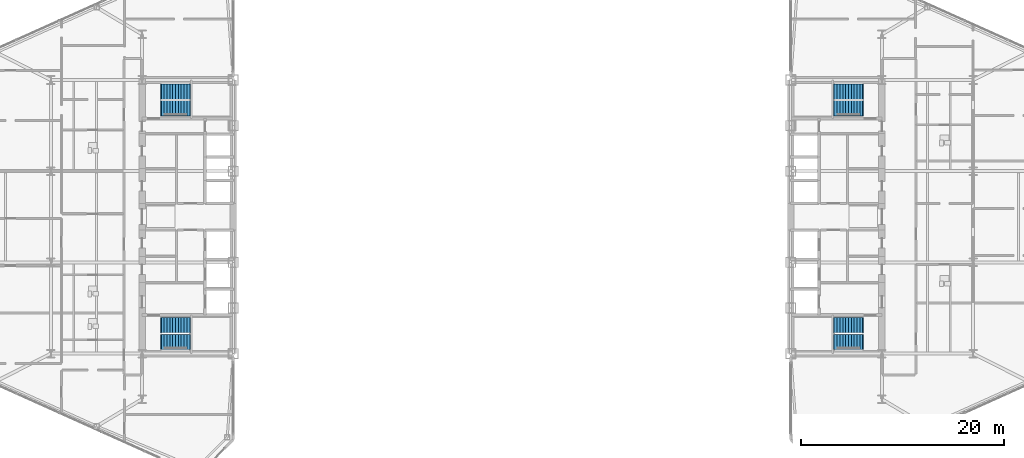
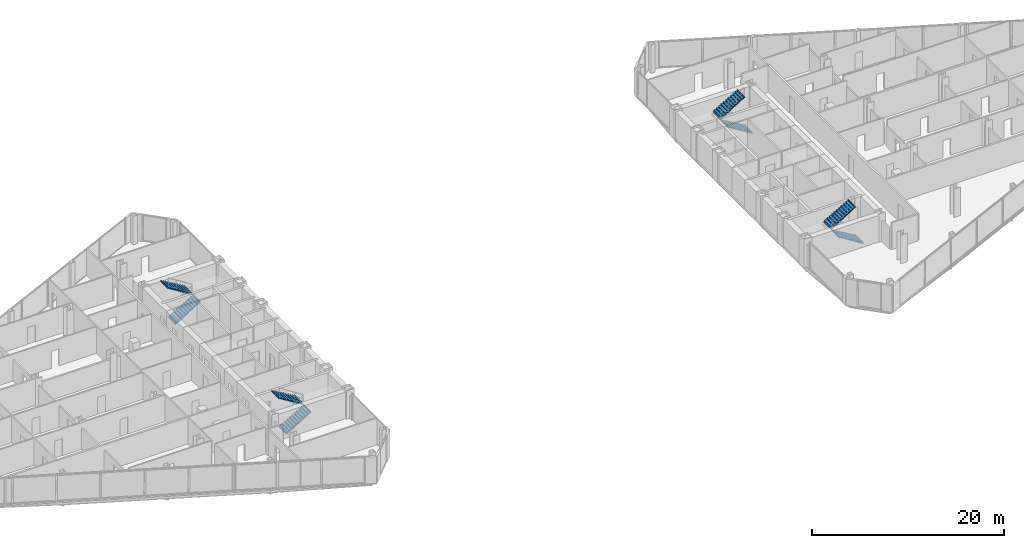
# One storey, part 25 of 27: 8 stair flights, 4 elements without a shape of their own.
"""IFC4 building model written with IfcOpenShell, lengths in metres."""

from ifc_helpers import new_model, si_unit, direction, frame, origin, place, context, subcontext, project, spatial, polyline, outline, extrude, material, type_object, element, aggregate, save


model = new_model("IFC4")

# Units and contexts
model_context = context("Model", 3, precision=1e-05, world=origin(), true_north=direction((0.0, 1.0)))
body_context = subcontext(model_context, "Body", "Model", "MODEL_VIEW")
ifc_project = project(units=[si_unit("LENGTHUNIT", "METRE"), si_unit("AREAUNIT", "SQUARE_METRE"), si_unit("VOLUMEUNIT", "CUBIC_METRE"), si_unit("PLANEANGLEUNIT", "RADIAN"), si_unit("MASSUNIT", "GRAM", prefix="KILO")], contexts=[model_context])

# Site, building, storey
site_placement = place(None, origin())
site = spatial("IfcSite", under=ifc_project, at=site_placement, CompositionType="ELEMENT")
building_placement = place(site_placement, origin())
building = spatial("IfcBuilding", under=site, at=building_placement, Name="Seokmaru Belvedere", CompositionType="ELEMENT")
storey_placement = place(building_placement, frame((0.0, 0.0, 72.89990234375)))
storey = spatial("IfcBuildingStorey", under=building, at=storey_placement, Name="L19", CompositionType="ELEMENT", Elevation=72.89990234375)

# Stair, stair flights
ifc_material = material(Name="Concrete C40 (40 MPa)", Category="concrete")
stair_type = type_object("IfcStairType", Name="Typical Tower Core Dog-Leg Stair 3600", PredefinedType="TWO_STRAIGHT_RUN_STAIR", material=ifc_material)
stair_1_placement = place(storey_placement, origin())
stair_1 = element("IfcStair", 1, at=stair_1_placement, inside=storey, type_object=stair_type, Name="L19 Special Escape Stair ST-W1", PredefinedType="TWO_STRAIGHT_RUN_STAIR")
stair_flight_type = type_object("IfcStairFlightType", Name="Reinforced Concrete Stair Flight 1500", PredefinedType="STRAIGHT", material=ifc_material)
stair_flight_1_placement = place(storey_placement, frame((-34.60009765625, -12.35009765625, 0.0), z_axis=(0.0, 0.0, 1.0), x_axis=(1.0, 0.0, 0.0)))
stair_flight_1 = element("IfcStairFlight", 2, at=stair_flight_1_placement, type_object=stair_flight_type, Name="ST-W1 flight 1", NumberOfRisers=11, NumberOfTreads=10, PredefinedType="STRAIGHT", RiserHeight=0.163636364, TreadLength=0.28, context=body_context, shape_type="SweptSolid", body=[
    extrude(outline(polyline([(-0.080078125, 0.0), (0.0, 0.16357421875), (0.280029296875, 0.16357421875), (0.280029296875, 0.327392578125), (0.56005859375, 0.327392578125), (0.56005859375, 0.490966796875), (0.840087890625, 0.490966796875), (0.840087890625, 0.654541015625), (1.1201171875, 0.654541015625), (1.1201171875, 0.818115234375), (1.39990234375, 0.818115234375), (1.39990234375, 0.98193359375), (1.679931640625, 0.98193359375), (1.679931640625, 1.1455078125), (1.9599609375, 1.1455078125), (1.9599609375, 1.30908203125), (2.239990234375, 1.30908203125), (2.239990234375, 1.47265625), (2.52001953125, 1.47265625), (2.52001953125, 1.636474609375), (2.800048828125, 1.636474609375), (2.800048828125, 1.800048828125), (2.8798828125, 1.800048828125), (2.8798828125, 1.610107421875), (2.800048828125, 1.610107421875), (0.0, -0.159912109375), (-0.080078125, -0.159912109375), (-0.080078125, 0.0)])), frame((0.0, 0.75, 0.0), z_axis=(0.0, -1.0, 0.0), x_axis=(1.0, 0.0, 0.0)), (0.0, 0.0, 1.0), 1.5),
])
stair_flight_2_placement = place(storey_placement, frame((-31.800048828125, -10.7099609375, 1.800048828125), z_axis=(0.0, 0.0, 1.0), x_axis=(-1.0, 0.0, 0.0)))
stair_flight_2 = element("IfcStairFlight", 3, at=stair_flight_2_placement, type_object=stair_flight_type, Name="ST-W1 flight 2", NumberOfRisers=11, NumberOfTreads=10, PredefinedType="STRAIGHT", RiserHeight=0.163636364, TreadLength=0.28, context=body_context, shape_type="SweptSolid", body=[
    extrude(outline(polyline([(-0.080078125, 0.0), (0.0, 0.16357421875), (0.280029296875, 0.16357421875), (0.280029296875, 0.327392578125), (0.56005859375, 0.327392578125), (0.56005859375, 0.490966796875), (0.840087890625, 0.490966796875), (0.840087890625, 0.654541015625), (1.1201171875, 0.654541015625), (1.1201171875, 0.818115234375), (1.39990234375, 0.818115234375), (1.39990234375, 0.98193359375), (1.679931640625, 0.98193359375), (1.679931640625, 1.1455078125), (1.9599609375, 1.1455078125), (1.9599609375, 1.30908203125), (2.239990234375, 1.30908203125), (2.239990234375, 1.47265625), (2.52001953125, 1.47265625), (2.52001953125, 1.636474609375), (2.800048828125, 1.636474609375), (2.800048828125, 1.800048828125), (2.8798828125, 1.800048828125), (2.8798828125, 1.610107421875), (2.800048828125, 1.610107421875), (0.0, -0.159912109375), (-0.080078125, -0.159912109375), (-0.080078125, 0.0)])), frame((0.0, 0.75, 0.0), z_axis=(0.0, -1.0, 0.0), x_axis=(1.0, 0.0, 0.0)), (0.0, 0.0, 1.0), 1.5),
])
aggregate(stair_1, [stair_flight_1, stair_flight_2])

stair_2_placement = place(storey_placement, origin())
stair_2 = element("IfcStair", 4, at=stair_2_placement, inside=storey, type_object=stair_type, Name="L19 Special Escape Stair ST-W2", PredefinedType="TWO_STRAIGHT_RUN_STAIR")
stair_flight_3_placement = place(storey_placement, frame((-34.60009765625, 10.7099609375, 0.0), z_axis=(0.0, 0.0, 1.0), x_axis=(1.0, 0.0, 0.0)))
stair_flight_3 = element("IfcStairFlight", 5, at=stair_flight_3_placement, type_object=stair_flight_type, Name="ST-W2 flight 1", NumberOfRisers=11, NumberOfTreads=10, PredefinedType="STRAIGHT", RiserHeight=0.163636364, TreadLength=0.28, context=body_context, shape_type="SweptSolid", body=[
    extrude(outline(polyline([(-0.080078125, 0.0), (0.0, 0.16357421875), (0.280029296875, 0.16357421875), (0.280029296875, 0.327392578125), (0.56005859375, 0.327392578125), (0.56005859375, 0.490966796875), (0.840087890625, 0.490966796875), (0.840087890625, 0.654541015625), (1.1201171875, 0.654541015625), (1.1201171875, 0.818115234375), (1.39990234375, 0.818115234375), (1.39990234375, 0.98193359375), (1.679931640625, 0.98193359375), (1.679931640625, 1.1455078125), (1.9599609375, 1.1455078125), (1.9599609375, 1.30908203125), (2.239990234375, 1.30908203125), (2.239990234375, 1.47265625), (2.52001953125, 1.47265625), (2.52001953125, 1.636474609375), (2.800048828125, 1.636474609375), (2.800048828125, 1.800048828125), (2.8798828125, 1.800048828125), (2.8798828125, 1.610107421875), (2.800048828125, 1.610107421875), (0.0, -0.159912109375), (-0.080078125, -0.159912109375), (-0.080078125, 0.0)])), frame((0.0, 0.75, 0.0), z_axis=(0.0, -1.0, 0.0), x_axis=(1.0, 0.0, 0.0)), (0.0, 0.0, 1.0), 1.5),
])
stair_flight_4_placement = place(storey_placement, frame((-31.800048828125, 12.35009765625, 1.800048828125), z_axis=(0.0, 0.0, 1.0), x_axis=(-1.0, 0.0, 0.0)))
stair_flight_4 = element("IfcStairFlight", 6, at=stair_flight_4_placement, type_object=stair_flight_type, Name="ST-W2 flight 2", NumberOfRisers=11, NumberOfTreads=10, PredefinedType="STRAIGHT", RiserHeight=0.163636364, TreadLength=0.28, context=body_context, shape_type="SweptSolid", body=[
    extrude(outline(polyline([(-0.080078125, 0.0), (0.0, 0.16357421875), (0.280029296875, 0.16357421875), (0.280029296875, 0.327392578125), (0.56005859375, 0.327392578125), (0.56005859375, 0.490966796875), (0.840087890625, 0.490966796875), (0.840087890625, 0.654541015625), (1.1201171875, 0.654541015625), (1.1201171875, 0.818115234375), (1.39990234375, 0.818115234375), (1.39990234375, 0.98193359375), (1.679931640625, 0.98193359375), (1.679931640625, 1.1455078125), (1.9599609375, 1.1455078125), (1.9599609375, 1.30908203125), (2.239990234375, 1.30908203125), (2.239990234375, 1.47265625), (2.52001953125, 1.47265625), (2.52001953125, 1.636474609375), (2.800048828125, 1.636474609375), (2.800048828125, 1.800048828125), (2.8798828125, 1.800048828125), (2.8798828125, 1.610107421875), (2.800048828125, 1.610107421875), (0.0, -0.159912109375), (-0.080078125, -0.159912109375), (-0.080078125, 0.0)])), frame((0.0, 0.75, 0.0), z_axis=(0.0, -1.0, 0.0), x_axis=(1.0, 0.0, 0.0)), (0.0, 0.0, 1.0), 1.5),
])
aggregate(stair_2, [stair_flight_3, stair_flight_4])

stair_3_placement = place(storey_placement, origin())
stair_3 = element("IfcStair", 7, at=stair_3_placement, inside=storey, type_object=stair_type, Name="L19 Special Escape Stair ST-E1", PredefinedType="TWO_STRAIGHT_RUN_STAIR")
stair_flight_5_placement = place(storey_placement, frame((34.60009765625, -12.35009765625, 0.0), z_axis=(0.0, 0.0, 1.0), x_axis=(-1.0, 0.0, 0.0)))
stair_flight_5 = element("IfcStairFlight", 8, at=stair_flight_5_placement, type_object=stair_flight_type, Name="ST-E1 flight 1", NumberOfRisers=11, NumberOfTreads=10, PredefinedType="STRAIGHT", RiserHeight=0.163636364, TreadLength=0.28, context=body_context, shape_type="SweptSolid", body=[
    extrude(outline(polyline([(-0.080078125, 0.0), (0.0, 0.16357421875), (0.280029296875, 0.16357421875), (0.280029296875, 0.327392578125), (0.56005859375, 0.327392578125), (0.56005859375, 0.490966796875), (0.840087890625, 0.490966796875), (0.840087890625, 0.654541015625), (1.1201171875, 0.654541015625), (1.1201171875, 0.818115234375), (1.39990234375, 0.818115234375), (1.39990234375, 0.98193359375), (1.679931640625, 0.98193359375), (1.679931640625, 1.1455078125), (1.9599609375, 1.1455078125), (1.9599609375, 1.30908203125), (2.239990234375, 1.30908203125), (2.239990234375, 1.47265625), (2.52001953125, 1.47265625), (2.52001953125, 1.636474609375), (2.800048828125, 1.636474609375), (2.800048828125, 1.800048828125), (2.8798828125, 1.800048828125), (2.8798828125, 1.610107421875), (2.800048828125, 1.610107421875), (0.0, -0.159912109375), (-0.080078125, -0.159912109375), (-0.080078125, 0.0)])), frame((0.0, 0.75, 0.0), z_axis=(0.0, -1.0, 0.0), x_axis=(1.0, 0.0, 0.0)), (0.0, 0.0, 1.0), 1.5),
])
stair_flight_6_placement = place(storey_placement, frame((31.800048828125, -10.7099609375, 1.800048828125), z_axis=(0.0, 0.0, 1.0), x_axis=(1.0, 0.0, 0.0)))
stair_flight_6 = element("IfcStairFlight", 9, at=stair_flight_6_placement, type_object=stair_flight_type, Name="ST-E1 flight 2", NumberOfRisers=11, NumberOfTreads=10, PredefinedType="STRAIGHT", RiserHeight=0.163636364, TreadLength=0.28, context=body_context, shape_type="SweptSolid", body=[
    extrude(outline(polyline([(-0.080078125, 0.0), (0.0, 0.16357421875), (0.280029296875, 0.16357421875), (0.280029296875, 0.327392578125), (0.56005859375, 0.327392578125), (0.56005859375, 0.490966796875), (0.840087890625, 0.490966796875), (0.840087890625, 0.654541015625), (1.1201171875, 0.654541015625), (1.1201171875, 0.818115234375), (1.39990234375, 0.818115234375), (1.39990234375, 0.98193359375), (1.679931640625, 0.98193359375), (1.679931640625, 1.1455078125), (1.9599609375, 1.1455078125), (1.9599609375, 1.30908203125), (2.239990234375, 1.30908203125), (2.239990234375, 1.47265625), (2.52001953125, 1.47265625), (2.52001953125, 1.636474609375), (2.800048828125, 1.636474609375), (2.800048828125, 1.800048828125), (2.8798828125, 1.800048828125), (2.8798828125, 1.610107421875), (2.800048828125, 1.610107421875), (0.0, -0.159912109375), (-0.080078125, -0.159912109375), (-0.080078125, 0.0)])), frame((0.0, 0.75, 0.0), z_axis=(0.0, -1.0, 0.0), x_axis=(1.0, 0.0, 0.0)), (0.0, 0.0, 1.0), 1.5),
])
aggregate(stair_3, [stair_flight_5, stair_flight_6])

stair_4_placement = place(storey_placement, origin())
stair_4 = element("IfcStair", 10, at=stair_4_placement, inside=storey, type_object=stair_type, Name="L19 Special Escape Stair ST-E2", PredefinedType="TWO_STRAIGHT_RUN_STAIR")
stair_flight_7_placement = place(storey_placement, frame((34.60009765625, 10.7099609375, 0.0), z_axis=(0.0, 0.0, 1.0), x_axis=(-1.0, 0.0, 0.0)))
stair_flight_7 = element("IfcStairFlight", 11, at=stair_flight_7_placement, type_object=stair_flight_type, Name="ST-E2 flight 1", NumberOfRisers=11, NumberOfTreads=10, PredefinedType="STRAIGHT", RiserHeight=0.163636364, TreadLength=0.28, context=body_context, shape_type="SweptSolid", body=[
    extrude(outline(polyline([(-0.080078125, 0.0), (0.0, 0.16357421875), (0.280029296875, 0.16357421875), (0.280029296875, 0.327392578125), (0.56005859375, 0.327392578125), (0.56005859375, 0.490966796875), (0.840087890625, 0.490966796875), (0.840087890625, 0.654541015625), (1.1201171875, 0.654541015625), (1.1201171875, 0.818115234375), (1.39990234375, 0.818115234375), (1.39990234375, 0.98193359375), (1.679931640625, 0.98193359375), (1.679931640625, 1.1455078125), (1.9599609375, 1.1455078125), (1.9599609375, 1.30908203125), (2.239990234375, 1.30908203125), (2.239990234375, 1.47265625), (2.52001953125, 1.47265625), (2.52001953125, 1.636474609375), (2.800048828125, 1.636474609375), (2.800048828125, 1.800048828125), (2.8798828125, 1.800048828125), (2.8798828125, 1.610107421875), (2.800048828125, 1.610107421875), (0.0, -0.159912109375), (-0.080078125, -0.159912109375), (-0.080078125, 0.0)])), frame((0.0, 0.75, 0.0), z_axis=(0.0, -1.0, 0.0), x_axis=(1.0, 0.0, 0.0)), (0.0, 0.0, 1.0), 1.5),
])
stair_flight_8_placement = place(storey_placement, frame((31.800048828125, 12.35009765625, 1.800048828125), z_axis=(0.0, 0.0, 1.0), x_axis=(1.0, 0.0, 0.0)))
stair_flight_8 = element("IfcStairFlight", 12, at=stair_flight_8_placement, type_object=stair_flight_type, Name="ST-E2 flight 2", NumberOfRisers=11, NumberOfTreads=10, PredefinedType="STRAIGHT", RiserHeight=0.163636364, TreadLength=0.28, context=body_context, shape_type="SweptSolid", body=[
    extrude(outline(polyline([(-0.080078125, 0.0), (0.0, 0.16357421875), (0.280029296875, 0.16357421875), (0.280029296875, 0.327392578125), (0.56005859375, 0.327392578125), (0.56005859375, 0.490966796875), (0.840087890625, 0.490966796875), (0.840087890625, 0.654541015625), (1.1201171875, 0.654541015625), (1.1201171875, 0.818115234375), (1.39990234375, 0.818115234375), (1.39990234375, 0.98193359375), (1.679931640625, 0.98193359375), (1.679931640625, 1.1455078125), (1.9599609375, 1.1455078125), (1.9599609375, 1.30908203125), (2.239990234375, 1.30908203125), (2.239990234375, 1.47265625), (2.52001953125, 1.47265625), (2.52001953125, 1.636474609375), (2.800048828125, 1.636474609375), (2.800048828125, 1.800048828125), (2.8798828125, 1.800048828125), (2.8798828125, 1.610107421875), (2.800048828125, 1.610107421875), (0.0, -0.159912109375), (-0.080078125, -0.159912109375), (-0.080078125, 0.0)])), frame((0.0, 0.75, 0.0), z_axis=(0.0, -1.0, 0.0), x_axis=(1.0, 0.0, 0.0)), (0.0, 0.0, 1.0), 1.5),
])
aggregate(stair_4, [stair_flight_7, stair_flight_8])

save(model, "model.ifc")
